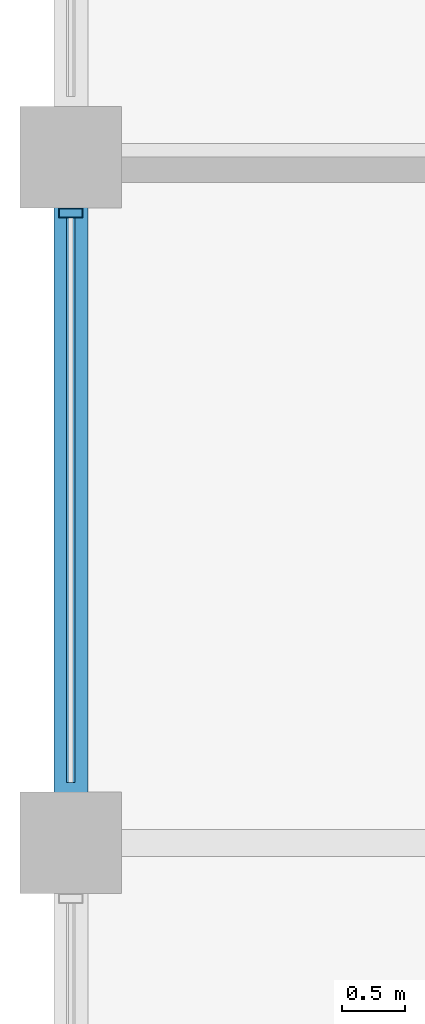
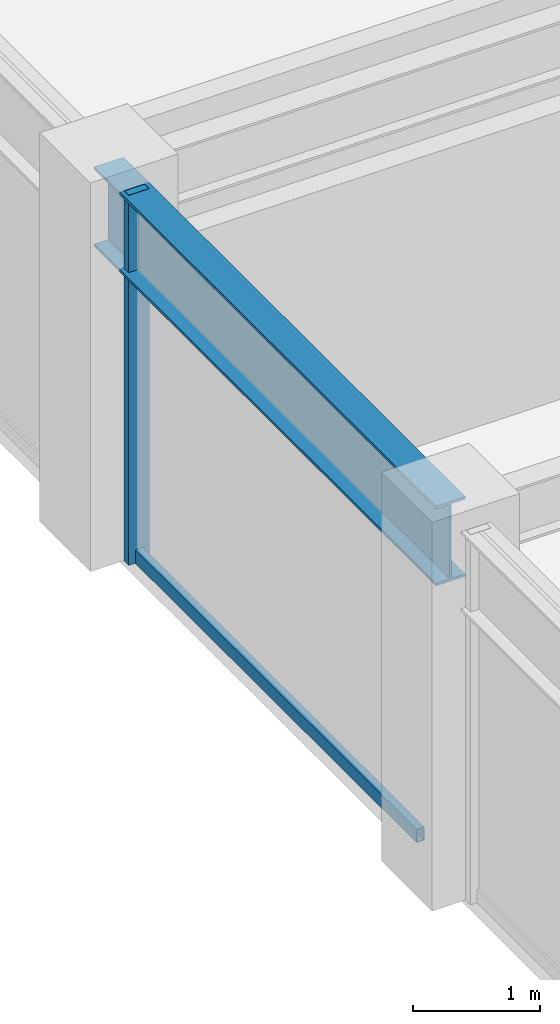
# One storey, part 8 of 32: 2 members, 1 beam, 1 element without a shape of its own.
"""IFC4 building model written with IfcOpenShell, lengths in metres."""

import ifcopenshell
import ifcopenshell.guid

model = None  # the IFC model being written
_history = None  # IfcOwnerHistory: only IFC2X3 demands one
_inside = {}  # id of a spatial element -> (the spatial element, [elements in it])
_under = {}  # id of a project, library or spatial element -> (it, [spatial elements below it])
_declared = {}  # id of a project -> (the project, [libraries it declares])
_typed = {}  # id of a type object -> (the type object, [elements of that type])
_made_of = {}  # id of a material, layer set ... -> (it, [elements and type objects made of it])


def new_model(schema):
    """Start an empty IFC model of exactly this schema.

    Asked for "IFC4X3", IfcOpenShell would pick the latest addendum, in which some entities
    have other attributes; the version numbers below select the first issue.
    IFC2X3 requires an IfcOwnerHistory on every rooted entity: one is made here for all.
    """
    global model, _history
    if schema == "IFC4X3":
        model = ifcopenshell.file(schema_version=(4, 3, 0, 0))
    else:
        model = ifcopenshell.file(schema=schema)
    _inside.clear()
    _under.clear()
    _declared.clear()
    _typed.clear()
    _made_of.clear()
    _history = None
    if model.schema == "IFC2X3":
        org = make("IfcOrganization", Name="unknown")
        user = make(
            "IfcPersonAndOrganization",
            ThePerson=make("IfcPerson", FamilyName="unknown"),
            TheOrganization=org,
        )
        app = make(
            "IfcApplication",
            ApplicationDeveloper=org,
            Version="unknown",
            ApplicationFullName="unknown",
            ApplicationIdentifier="unknown",
        )
        _history = make(
            "IfcOwnerHistory",
            OwningUser=user,
            OwningApplication=app,
            ChangeAction="ADDED",
            CreationDate=0,
        )
    return model


def make(cls, **values):
    """One entity of the class cls with the attributes given. An attribute that is None is left unset."""
    return model.create_entity(
        cls, **{name: value for name, value in values.items() if value is not None}
    )


def rooted(cls, **values):
    """An entity with a GlobalId (a new one), such as an element, a storey or a relation."""
    return make(cls, GlobalId=ifcopenshell.guid.new(), OwnerHistory=_history, **values)


def si_unit(unit_type, name, prefix=None):
    """IfcSIUnit, for example si_unit("LENGTHUNIT", "METRE", prefix="MILLI")."""
    return make("IfcSIUnit", UnitType=unit_type, Prefix=prefix, Name=name)


def assignment(units):
    """IfcUnitAssignment: the units of a project."""
    return None if units is None else make("IfcUnitAssignment", Units=units)


def point(xyz):
    """IfcCartesianPoint."""
    return None if xyz is None else make("IfcCartesianPoint", Coordinates=xyz)


def direction(xyz):
    """IfcDirection."""
    return None if xyz is None else make("IfcDirection", DirectionRatios=xyz)


def frame(location, z_axis=None, x_axis=None):
    """IfcAxis2Placement3D, a coordinate frame: its origin and axes. An axis left out is left unset."""
    return make(
        "IfcAxis2Placement3D",
        Location=point(location),
        Axis=direction(z_axis),
        RefDirection=direction(x_axis),
    )


def frame_2d(location, x_axis=None):
    """IfcAxis2Placement2D, a coordinate frame in the plane: its origin and x axis."""
    return make(
        "IfcAxis2Placement2D", Location=point(location), RefDirection=direction(x_axis)
    )


def origin():
    """The frame at (0, 0, 0) with its axes left unset."""
    return frame((0.0, 0.0, 0.0))


def origin_2d():
    """The frame at (0, 0) in the plane with its x axis left unset."""
    return frame_2d((0.0, 0.0))


def place(relative_to, where):
    """IfcLocalPlacement: puts the frame where relative to a parent placement (None: the world)."""
    return make(
        "IfcLocalPlacement", PlacementRelTo=relative_to, RelativePlacement=where
    )


def context(
    kind, dimensions, precision=None, world=None, true_north=None, identifier=None
):
    """IfcGeometricRepresentationContext, for example the 3D "Model" context."""
    return make(
        "IfcGeometricRepresentationContext",
        ContextIdentifier=identifier,
        ContextType=kind,
        CoordinateSpaceDimension=dimensions,
        Precision=precision,
        WorldCoordinateSystem=world,
        TrueNorth=true_north,
    )


def subcontext(parent, identifier, kind, view, scale=None):
    """IfcGeometricRepresentationSubContext, for example "Body" below "Model"."""
    return make(
        "IfcGeometricRepresentationSubContext",
        ContextIdentifier=identifier,
        ContextType=kind,
        ParentContext=parent,
        TargetScale=scale,
        TargetView=view,
    )


def project(units=None, contexts=None):
    """IfcProject with its units and contexts."""
    return rooted(
        "IfcProject",
        Name="project",
        RepresentationContexts=contexts,
        UnitsInContext=assignment(units),
    )


def spatial(cls, under=None, at=None, **own):
    """A site, building, storey or space (cls), placed at a placement, below another one or the project."""
    s = rooted(cls, ObjectPlacement=at, **own)
    if under is not None:
        _under.setdefault(under.id(), (under, []))[1].append(s)
    return s


def profile(cls, at=None, kind="AREA", **sizes):
    """A parametric profile (cls). Its sizes go by their IFC names, for example OverallWidth=200.0."""
    return make(cls, ProfileType=kind, Position=at, **sizes)


def hollow_rectangle(**sizes):
    """IfcRectangleHollowProfileDef."""
    return profile("IfcRectangleHollowProfileDef", **sizes)


def i_section(**sizes):
    """IfcIShapeProfileDef."""
    return profile("IfcIShapeProfileDef", **sizes)


def extrude(swept, where, along, depth):
    """IfcExtrudedAreaSolid: the profile swept, set in the frame where, extruded along a direction by depth."""
    return make(
        "IfcExtrudedAreaSolid",
        SweptArea=swept,
        Position=where,
        ExtrudedDirection=direction(along),
        Depth=depth,
    )


def shape(context_of_items, identifier, shape_type, items):
    """IfcShapeRepresentation: the items that make up one representation, for example the "Body"."""
    return make(
        "IfcShapeRepresentation",
        ContextOfItems=context_of_items,
        RepresentationIdentifier=identifier,
        RepresentationType=shape_type,
        Items=items,
    )


def material(Name=None, Category=None):
    """IfcMaterial."""
    return make("IfcMaterial", Name=Name, Category=Category)


def layer(
    of_material, thickness, ventilated=None, Name=None, Category=None, Priority=None
):
    """IfcMaterialLayer: one layer of a wall or slab, of a material (None: an air gap)."""
    return make(
        "IfcMaterialLayer",
        Material=of_material,
        LayerThickness=thickness,
        IsVentilated=ventilated,
        Name=Name,
        Category=Category,
        Priority=Priority,
    )


def layer_set(layers, Name=None):
    """IfcMaterialLayerSet."""
    return make("IfcMaterialLayerSet", MaterialLayers=layers, LayerSetName=Name)


def material_profile(
    of_material, cross_section, Name=None, Category=None, Priority=None
):
    """IfcMaterialProfile: a cross section and its material."""
    return make(
        "IfcMaterialProfile",
        Name=Name,
        Material=of_material,
        Profile=cross_section,
        Priority=Priority,
        Category=Category,
    )


def profile_set(profiles, Name=None, composite=None):
    """IfcMaterialProfileSet."""
    return make(
        "IfcMaterialProfileSet",
        Name=Name,
        MaterialProfiles=profiles,
        CompositeProfile=composite,
    )


def made_of(thing, what):
    """Note that an element or type object is made of a material, layer set ...; save() writes the relation."""
    if what is not None:
        _made_of.setdefault(what.id(), (what, []))[1].append(thing)
    return thing


def type_object(cls, material=None, **own):
    """A type object (cls), such as IfcWallType, which elements share."""
    return made_of(rooted(cls, **own), material)


def element(
    cls,
    number,
    at=None,
    inside=None,
    cuts=None,
    type_object=None,
    material=None,
    context=None,
    identifier="Body",
    shape_type=None,
    held_by="IfcProductDefinitionShape",
    body=None,
    shapes=None,
    **own,
):
    """One element of the class cls, such as IfcWall. Its Tag is "e" and its number.

    at: its placement. inside: the storey or other place that contains it. cuts: it is an
    opening in that element (IfcRelVoidsElement). A single representation is given by context,
    identifier, shape_type and body (its items); several are given by shapes. held_by: the class
    of the entity that holds the representations. save() writes the other relations.
    """
    e = rooted(cls, Tag="e%d" % number, ObjectPlacement=at, **own)
    if body is not None:
        shapes = [shape(context, identifier, shape_type, body)]
    if shapes is not None:
        e.Representation = make(held_by, Representations=shapes)
    if inside is not None:
        _inside.setdefault(inside.id(), (inside, []))[1].append(e)
    if cuts is not None:
        rooted(
            "IfcRelVoidsElement", RelatingBuildingElement=cuts, RelatedOpeningElement=e
        )
    if type_object is not None:
        _typed.setdefault(type_object.id(), (type_object, []))[1].append(e)
    return made_of(e, material)


def aggregate(whole, parts):
    """IfcRelAggregates: a whole, such as a stair, and the parts it consists of."""
    return rooted("IfcRelAggregates", RelatingObject=whole, RelatedObjects=parts)


def save(model, path):
    """Write the relations noted so far, then the file.

    IfcRelAggregates (storeys below a building ...), IfcRelContainedInSpatialStructure (elements
    in a storey), IfcRelDefinesByType, IfcRelAssociatesMaterial and IfcRelDeclares: one each for
    every whole, place, type object, material and project.
    """
    for whole, parts in _under.values():
        aggregate(whole, parts)
    for where, things in _inside.values():
        rooted(
            "IfcRelContainedInSpatialStructure",
            RelatedElements=things,
            RelatingStructure=where,
        )
    for kind, things in _typed.values():
        rooted("IfcRelDefinesByType", RelatedObjects=things, RelatingType=kind)
    for what, things in _made_of.values():
        rooted("IfcRelAssociatesMaterial", RelatedObjects=things, RelatingMaterial=what)
    for by, libraries in _declared.values():
        rooted("IfcRelDeclares", RelatingContext=by, RelatedDefinitions=libraries)
    model.write(path)


model = new_model("IFC4")

# Units and contexts
model_context = context("Model", 3, precision=1e-05, world=origin(), true_north=direction((0.0, 1.0)))
body_context = subcontext(model_context, "Body", "Model", "MODEL_VIEW")
ifc_project = project(units=[si_unit("LENGTHUNIT", "METRE"), si_unit("AREAUNIT", "SQUARE_METRE"), si_unit("VOLUMEUNIT", "CUBIC_METRE"), si_unit("PLANEANGLEUNIT", "RADIAN"), si_unit("MASSUNIT", "GRAM", prefix="KILO")], contexts=[model_context])

# Site, building, storey
site_placement = place(None, origin())
site = spatial("IfcSite", under=ifc_project, at=site_placement, CompositionType="ELEMENT")
building_placement = place(site_placement, origin())
building = spatial("IfcBuilding", under=site, at=building_placement, Name="Surkhivell Harbour Commons", CompositionType="ELEMENT")
storey_placement = place(building_placement, frame((0.0, 0.0, 223.5)))
storey = spatial("IfcBuildingStorey", under=building, at=storey_placement, Name="L58", CompositionType="ELEMENT", Elevation=223.5)

# Beam
ifc_material_1 = material(Name="Steel S355", Category="steel")
ifc_material_profile_1 = material_profile(ifc_material_1, i_section(OverallWidth=0.26806640625, OverallDepth=0.77001953125, WebThickness=0.015625, FlangeThickness=0.025390625, at=origin_2d()), Name="UB762x267x197")
ifc_profile_set_1 = profile_set([ifc_material_profile_1], Name="Steel S355")
beam_type = type_object("IfcBeamType", Name="BM-SPN-762", PredefinedType="SPANDREL", material=ifc_profile_set_1)
beam_placement = place(storey_placement, frame((-27.0, -5.39990234375, 3.18505859375), z_axis=(0.0, 1.0, 0.0), x_axis=(-1.0, 0.0, 0.0)))
element("IfcBeam", 1, at=beam_placement, inside=storey, type_object=beam_type, Name="L58 Tube Spandrel (-27.0,-5.4)", PredefinedType="SPANDREL", context=body_context, shape_type="SweptSolid", body=[
    extrude(i_section(OverallWidth=0.26806640625, OverallDepth=0.77001953125, WebThickness=0.015625, FlangeThickness=0.025390625, at=origin_2d()), origin(), (0.0, 0.0, 1.0), 5.39990234375),
])

# Curtain wall, members
ifc_material_2 = material(Name="Anodised pale-metal aluminium and insulated glazing", Category="aluminium")
ifc_layer = layer(ifc_material_2, 0.18994140625)
ifc_layer_set = layer_set([ifc_layer], Name="Anodised pale-metal aluminium and insulated glazing")
curtain_wall_type = type_object("IfcCurtainWallType", Name="CW-SYS-Z3", PredefinedType="NOTDEFINED", material=ifc_layer_set)
curtain_wall_placement = place(storey_placement, origin())
curtain_wall = element("IfcCurtainWall", 2, at=curtain_wall_placement, inside=storey, type_object=curtain_wall_type, Name="L58 Curtain Wall CW-L58-E12S1", PredefinedType="NOTDEFINED")
ifc_material_3 = material(Name="Anodised pale-metal aluminium alloy 6063-T6", Category="aluminium")
ifc_material_profile_2 = material_profile(ifc_material_3, hollow_rectangle(XDim=0.074951171875, YDim=0.18994140625, WallThickness=0.00390625, at=origin_2d()), Name="ALU-MULL-75x190")
ifc_profile_set_2 = profile_set([ifc_material_profile_2], Name="Anodised pale-metal aluminium alloy 6063-T6")
member_type_1 = type_object("IfcMemberType", Name="CWM-190", PredefinedType="MULLION", material=ifc_profile_set_2)
member_1_placement = place(storey_placement, frame((-27.0, -0.439453125, 0.0), z_axis=(0.0, 0.0, 1.0), x_axis=(0.0, -1.0, 0.0)))
member_1 = element("IfcMember", 3, at=member_1_placement, type_object=member_type_1, Name="CW-Z3 mullion 5", PredefinedType="MULLION", context=body_context, shape_type="SweptSolid", body=[
    extrude(hollow_rectangle(XDim=0.074951171875, YDim=0.18994140625, WallThickness=0.00390625, at=origin_2d()), origin(), (0.0, 0.0, 1.0), 3.570068359375),
])
ifc_material_4 = material(Name="Champagne anodised aluminium alloy 6063-T6", Category="aluminium")
ifc_material_profile_3 = material_profile(ifc_material_4, hollow_rectangle(XDim=0.070068359375, YDim=0.1298828125, WallThickness=0.00341796875, at=origin_2d()), Name="ALU-TRAN-70x130")
ifc_profile_set_3 = profile_set([ifc_material_profile_3], Name="Champagne anodised aluminium alloy 6063-T6")
member_type_2 = type_object("IfcMemberType", Name="CWT-130", PredefinedType="USERDEFINED", material=ifc_profile_set_3)
member_2_placement = place(storey_placement, frame((-27.0, -0.47705078125, 0.06494140625), z_axis=(0.0, -1.0, 0.0), x_axis=(1.0, 0.0, 0.0)))
member_2 = element("IfcMember", 4, at=member_2_placement, type_object=member_type_2, Name="CW-Z3 transom 5.1", ObjectType="TRANSOM", PredefinedType="USERDEFINED", context=body_context, shape_type="SweptSolid", body=[
    extrude(hollow_rectangle(XDim=0.070068359375, YDim=0.1298828125, WallThickness=0.00341796875, at=origin_2d()), origin(), (0.0, 0.0, 1.0), 4.446044921875),
])
aggregate(curtain_wall, [member_1, member_2])

save(model, "model.ifc")
